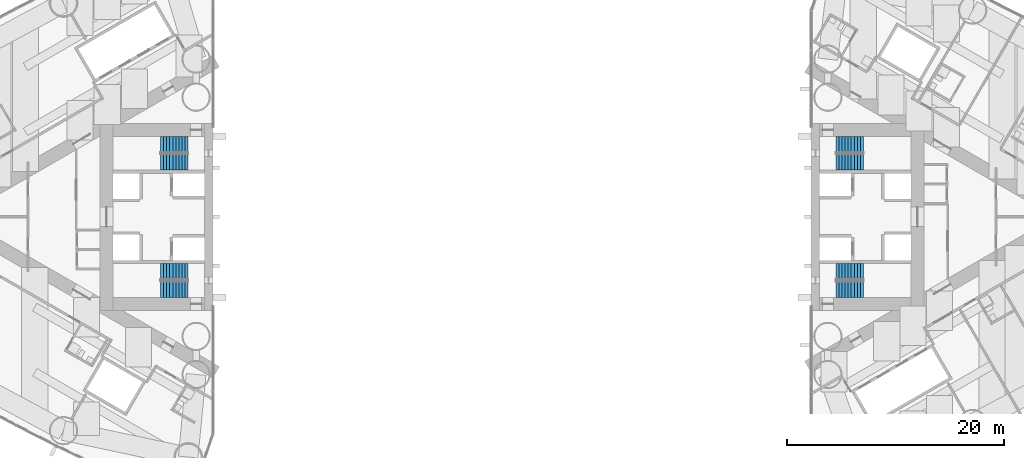
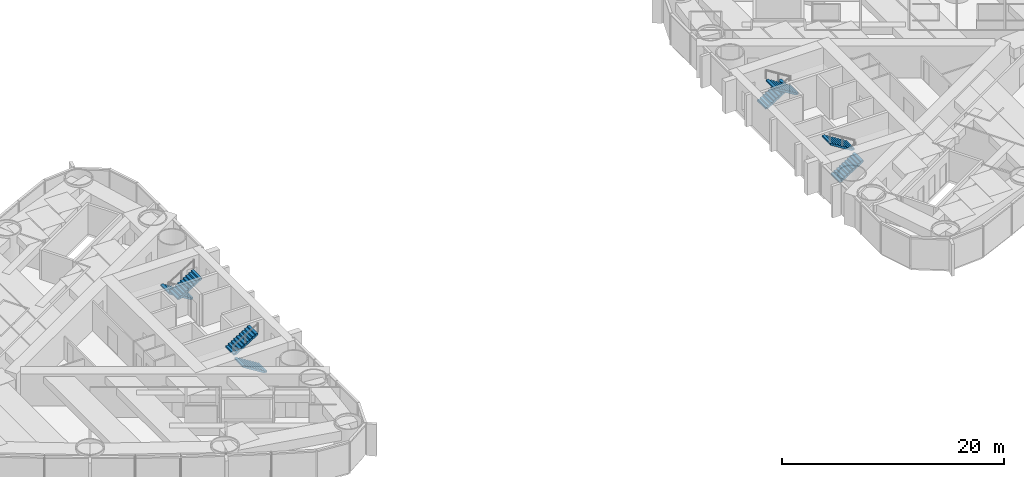
# One storey, part 16 of 18: 8 stair flights, 4 elements without a shape of their own.
"""IFC4 building model written with IfcOpenShell, lengths in metres."""

import ifcopenshell
import ifcopenshell.guid

model = None  # the IFC model being written
_history = None  # IfcOwnerHistory: only IFC2X3 demands one
_inside = {}  # id of a spatial element -> (the spatial element, [elements in it])
_under = {}  # id of a project, library or spatial element -> (it, [spatial elements below it])
_declared = {}  # id of a project -> (the project, [libraries it declares])
_typed = {}  # id of a type object -> (the type object, [elements of that type])
_made_of = {}  # id of a material, layer set ... -> (it, [elements and type objects made of it])


def new_model(schema):
    """Start an empty IFC model of exactly this schema.

    Asked for "IFC4X3", IfcOpenShell would pick the latest addendum, in which some entities
    have other attributes; the version numbers below select the first issue.
    IFC2X3 requires an IfcOwnerHistory on every rooted entity: one is made here for all.
    """
    global model, _history
    if schema == "IFC4X3":
        model = ifcopenshell.file(schema_version=(4, 3, 0, 0))
    else:
        model = ifcopenshell.file(schema=schema)
    _inside.clear()
    _under.clear()
    _declared.clear()
    _typed.clear()
    _made_of.clear()
    _history = None
    if model.schema == "IFC2X3":
        org = make("IfcOrganization", Name="unknown")
        user = make(
            "IfcPersonAndOrganization",
            ThePerson=make("IfcPerson", FamilyName="unknown"),
            TheOrganization=org,
        )
        app = make(
            "IfcApplication",
            ApplicationDeveloper=org,
            Version="unknown",
            ApplicationFullName="unknown",
            ApplicationIdentifier="unknown",
        )
        _history = make(
            "IfcOwnerHistory",
            OwningUser=user,
            OwningApplication=app,
            ChangeAction="ADDED",
            CreationDate=0,
        )
    return model


def make(cls, **values):
    """One entity of the class cls with the attributes given. An attribute that is None is left unset."""
    return model.create_entity(
        cls, **{name: value for name, value in values.items() if value is not None}
    )


def rooted(cls, **values):
    """An entity with a GlobalId (a new one), such as an element, a storey or a relation."""
    return make(cls, GlobalId=ifcopenshell.guid.new(), OwnerHistory=_history, **values)


def si_unit(unit_type, name, prefix=None):
    """IfcSIUnit, for example si_unit("LENGTHUNIT", "METRE", prefix="MILLI")."""
    return make("IfcSIUnit", UnitType=unit_type, Prefix=prefix, Name=name)


def assignment(units):
    """IfcUnitAssignment: the units of a project."""
    return None if units is None else make("IfcUnitAssignment", Units=units)


def point(xyz):
    """IfcCartesianPoint."""
    return None if xyz is None else make("IfcCartesianPoint", Coordinates=xyz)


def direction(xyz):
    """IfcDirection."""
    return None if xyz is None else make("IfcDirection", DirectionRatios=xyz)


def frame(location, z_axis=None, x_axis=None):
    """IfcAxis2Placement3D, a coordinate frame: its origin and axes. An axis left out is left unset."""
    return make(
        "IfcAxis2Placement3D",
        Location=point(location),
        Axis=direction(z_axis),
        RefDirection=direction(x_axis),
    )


def origin():
    """The frame at (0, 0, 0) with its axes left unset."""
    return frame((0.0, 0.0, 0.0))


def place(relative_to, where):
    """IfcLocalPlacement: puts the frame where relative to a parent placement (None: the world)."""
    return make(
        "IfcLocalPlacement", PlacementRelTo=relative_to, RelativePlacement=where
    )


def context(
    kind, dimensions, precision=None, world=None, true_north=None, identifier=None
):
    """IfcGeometricRepresentationContext, for example the 3D "Model" context."""
    return make(
        "IfcGeometricRepresentationContext",
        ContextIdentifier=identifier,
        ContextType=kind,
        CoordinateSpaceDimension=dimensions,
        Precision=precision,
        WorldCoordinateSystem=world,
        TrueNorth=true_north,
    )


def subcontext(parent, identifier, kind, view, scale=None):
    """IfcGeometricRepresentationSubContext, for example "Body" below "Model"."""
    return make(
        "IfcGeometricRepresentationSubContext",
        ContextIdentifier=identifier,
        ContextType=kind,
        ParentContext=parent,
        TargetScale=scale,
        TargetView=view,
    )


def project(units=None, contexts=None):
    """IfcProject with its units and contexts."""
    return rooted(
        "IfcProject",
        Name="project",
        RepresentationContexts=contexts,
        UnitsInContext=assignment(units),
    )


def spatial(cls, under=None, at=None, **own):
    """A site, building, storey or space (cls), placed at a placement, below another one or the project."""
    s = rooted(cls, ObjectPlacement=at, **own)
    if under is not None:
        _under.setdefault(under.id(), (under, []))[1].append(s)
    return s


def polyline(points):
    """IfcPolyline through the points."""
    return make("IfcPolyline", Points=[point(p) for p in points])


def outline(outer, holes=None, kind="AREA"):
    """IfcArbitraryClosedProfileDef: a profile drawn as a closed curve; with holes, ...WithVoids."""
    if holes is None:
        return make("IfcArbitraryClosedProfileDef", ProfileType=kind, OuterCurve=outer)
    return make(
        "IfcArbitraryProfileDefWithVoids",
        ProfileType=kind,
        OuterCurve=outer,
        InnerCurves=holes,
    )


def extrude(swept, where, along, depth):
    """IfcExtrudedAreaSolid: the profile swept, set in the frame where, extruded along a direction by depth."""
    return make(
        "IfcExtrudedAreaSolid",
        SweptArea=swept,
        Position=where,
        ExtrudedDirection=direction(along),
        Depth=depth,
    )


def shape(context_of_items, identifier, shape_type, items):
    """IfcShapeRepresentation: the items that make up one representation, for example the "Body"."""
    return make(
        "IfcShapeRepresentation",
        ContextOfItems=context_of_items,
        RepresentationIdentifier=identifier,
        RepresentationType=shape_type,
        Items=items,
    )


def material(Name=None, Category=None):
    """IfcMaterial."""
    return make("IfcMaterial", Name=Name, Category=Category)


def made_of(thing, what):
    """Note that an element or type object is made of a material, layer set ...; save() writes the relation."""
    if what is not None:
        _made_of.setdefault(what.id(), (what, []))[1].append(thing)
    return thing


def type_object(cls, material=None, **own):
    """A type object (cls), such as IfcWallType, which elements share."""
    return made_of(rooted(cls, **own), material)


def element(
    cls,
    number,
    at=None,
    inside=None,
    cuts=None,
    type_object=None,
    material=None,
    context=None,
    identifier="Body",
    shape_type=None,
    held_by="IfcProductDefinitionShape",
    body=None,
    shapes=None,
    **own,
):
    """One element of the class cls, such as IfcWall. Its Tag is "e" and its number.

    at: its placement. inside: the storey or other place that contains it. cuts: it is an
    opening in that element (IfcRelVoidsElement). A single representation is given by context,
    identifier, shape_type and body (its items); several are given by shapes. held_by: the class
    of the entity that holds the representations. save() writes the other relations.
    """
    e = rooted(cls, Tag="e%d" % number, ObjectPlacement=at, **own)
    if body is not None:
        shapes = [shape(context, identifier, shape_type, body)]
    if shapes is not None:
        e.Representation = make(held_by, Representations=shapes)
    if inside is not None:
        _inside.setdefault(inside.id(), (inside, []))[1].append(e)
    if cuts is not None:
        rooted(
            "IfcRelVoidsElement", RelatingBuildingElement=cuts, RelatedOpeningElement=e
        )
    if type_object is not None:
        _typed.setdefault(type_object.id(), (type_object, []))[1].append(e)
    return made_of(e, material)


def aggregate(whole, parts):
    """IfcRelAggregates: a whole, such as a stair, and the parts it consists of."""
    return rooted("IfcRelAggregates", RelatingObject=whole, RelatedObjects=parts)


def save(model, path):
    """Write the relations noted so far, then the file.

    IfcRelAggregates (storeys below a building ...), IfcRelContainedInSpatialStructure (elements
    in a storey), IfcRelDefinesByType, IfcRelAssociatesMaterial and IfcRelDeclares: one each for
    every whole, place, type object, material and project.
    """
    for whole, parts in _under.values():
        aggregate(whole, parts)
    for where, things in _inside.values():
        rooted(
            "IfcRelContainedInSpatialStructure",
            RelatedElements=things,
            RelatingStructure=where,
        )
    for kind, things in _typed.values():
        rooted("IfcRelDefinesByType", RelatedObjects=things, RelatingType=kind)
    for what, things in _made_of.values():
        rooted("IfcRelAssociatesMaterial", RelatedObjects=things, RelatingMaterial=what)
    for by, libraries in _declared.values():
        rooted("IfcRelDeclares", RelatingContext=by, RelatedDefinitions=libraries)
    model.write(path)


model = new_model("IFC4")

# Units and contexts
model_context = context("Model", 3, precision=1e-05, world=origin(), true_north=direction((0.0, 1.0)))
body_context = subcontext(model_context, "Body", "Model", "MODEL_VIEW")
ifc_project = project(units=[si_unit("LENGTHUNIT", "METRE"), si_unit("AREAUNIT", "SQUARE_METRE"), si_unit("VOLUMEUNIT", "CUBIC_METRE"), si_unit("PLANEANGLEUNIT", "RADIAN"), si_unit("MASSUNIT", "GRAM", prefix="KILO")], contexts=[model_context])

# Site, building, storey
site_placement = place(None, origin())
site = spatial("IfcSite", under=ifc_project, at=site_placement, CompositionType="ELEMENT")
building_placement = place(site_placement, origin())
building = spatial("IfcBuilding", under=site, at=building_placement, Name="Lancet Gate Hotel", CompositionType="ELEMENT")
storey_placement = place(building_placement, frame((0.0, 0.0, 118.60009765625)))
storey = spatial("IfcBuildingStorey", under=building, at=storey_placement, Name="L31", CompositionType="ELEMENT", Elevation=118.60009765625)

# Stair, stair flights
ifc_material_1 = material(Name="Exit stair 20 risers 1500")
stair_type = type_object("IfcStairType", Name="Exit stair 20 risers 1500", PredefinedType="HALF_TURN_STAIR", material=ifc_material_1)
stair_1_placement = place(storey_placement, origin())
stair_1 = element("IfcStair", 1, at=stair_1_placement, inside=storey, type_object=stair_type, Name="T1 stair 1 L31", PredefinedType="HALF_TURN_STAIR")
ifc_material_2 = material(Name="Stair flight 10 risers 175 rise 1500")
stair_flight_type = type_object("IfcStairFlightType", Name="Stair flight 10 risers 175 rise 1500", PredefinedType="STRAIGHT", material=ifc_material_2)
stair_flight_1_placement = place(storey_placement, frame((-29.800048828125, 6.64990234375, 0.0), z_axis=(0.0, 0.0, 1.0), x_axis=(-1.0, 0.0, 0.0)))
stair_flight_1 = element("IfcStairFlight", 2, at=stair_flight_1_placement, type_object=stair_flight_type, Name="ST1 flight 1", NumberOfRisers=10, NumberOfTreads=9, PredefinedType="STRAIGHT", RiserHeight=0.175, TreadLength=0.28, context=body_context, shape_type="SweptSolid", body=[
    extrude(outline(polyline([(0.0, 0.0), (0.0, 0.175048828125), (0.280029296875, 0.175048828125), (0.280029296875, 0.35009765625), (0.56005859375, 0.35009765625), (0.56005859375, 0.52490234375), (0.840087890625, 0.52490234375), (0.840087890625, 0.699951171875), (1.1201171875, 0.699951171875), (1.1201171875, 0.875), (1.39990234375, 0.875), (1.39990234375, 1.050048828125), (1.679931640625, 1.050048828125), (1.679931640625, 1.22509765625), (1.9599609375, 1.22509765625), (1.9599609375, 1.39990234375), (2.239990234375, 1.39990234375), (2.239990234375, 1.574951171875), (2.52001953125, 1.574951171875), (2.52001953125, 1.75), (2.52001953125, 1.398193359375), (0.28271484375, 0.0), (0.0, 0.0)])), frame((0.0, 0.75, 0.0), z_axis=(0.0, -1.0, 0.0), x_axis=(1.0, 0.0, 0.0)), (0.0, 0.0, 1.0), 1.5),
])
stair_flight_2_placement = place(storey_placement, frame((-32.320068359375, 5.050048828125, 1.75), z_axis=(0.0, 0.0, 1.0), x_axis=(1.0, 0.0, 0.0)))
stair_flight_2 = element("IfcStairFlight", 3, at=stair_flight_2_placement, type_object=stair_flight_type, Name="ST1 flight 2", NumberOfRisers=10, NumberOfTreads=9, PredefinedType="STRAIGHT", RiserHeight=0.175, TreadLength=0.28, context=body_context, shape_type="SweptSolid", body=[
    extrude(outline(polyline([(0.0, 0.0), (0.0, 0.175048828125), (0.280029296875, 0.175048828125), (0.280029296875, 0.35009765625), (0.56005859375, 0.35009765625), (0.56005859375, 0.52490234375), (0.840087890625, 0.52490234375), (0.840087890625, 0.699951171875), (1.1201171875, 0.699951171875), (1.1201171875, 0.875), (1.39990234375, 0.875), (1.39990234375, 1.050048828125), (1.679931640625, 1.050048828125), (1.679931640625, 1.22509765625), (1.9599609375, 1.22509765625), (1.9599609375, 1.39990234375), (2.239990234375, 1.39990234375), (2.239990234375, 1.574951171875), (2.52001953125, 1.574951171875), (2.52001953125, 1.75), (2.52001953125, 1.398193359375), (0.28271484375, 0.0), (0.0, 0.0)])), frame((0.0, 0.75, 0.0), z_axis=(0.0, -1.0, 0.0), x_axis=(1.0, 0.0, 0.0)), (0.0, 0.0, 1.0), 1.5),
])
aggregate(stair_1, [stair_flight_1, stair_flight_2])

stair_2_placement = place(storey_placement, origin())
stair_2 = element("IfcStair", 4, at=stair_2_placement, inside=storey, type_object=stair_type, Name="T1 stair 2 L31", PredefinedType="HALF_TURN_STAIR")
stair_flight_3_placement = place(storey_placement, frame((-29.800048828125, -6.64990234375, 0.0), z_axis=(0.0, 0.0, 1.0), x_axis=(-1.0, 0.0, 0.0)))
stair_flight_3 = element("IfcStairFlight", 5, at=stair_flight_3_placement, type_object=stair_flight_type, Name="ST2 flight 1", NumberOfRisers=10, NumberOfTreads=9, PredefinedType="STRAIGHT", RiserHeight=0.175, TreadLength=0.28, context=body_context, shape_type="SweptSolid", body=[
    extrude(outline(polyline([(0.0, 0.0), (0.0, 0.175048828125), (0.280029296875, 0.175048828125), (0.280029296875, 0.35009765625), (0.56005859375, 0.35009765625), (0.56005859375, 0.52490234375), (0.840087890625, 0.52490234375), (0.840087890625, 0.699951171875), (1.1201171875, 0.699951171875), (1.1201171875, 0.875), (1.39990234375, 0.875), (1.39990234375, 1.050048828125), (1.679931640625, 1.050048828125), (1.679931640625, 1.22509765625), (1.9599609375, 1.22509765625), (1.9599609375, 1.39990234375), (2.239990234375, 1.39990234375), (2.239990234375, 1.574951171875), (2.52001953125, 1.574951171875), (2.52001953125, 1.75), (2.52001953125, 1.398193359375), (0.28271484375, 0.0), (0.0, 0.0)])), frame((0.0, 0.75, 0.0), z_axis=(0.0, -1.0, 0.0), x_axis=(1.0, 0.0, 0.0)), (0.0, 0.0, 1.0), 1.5),
])
stair_flight_4_placement = place(storey_placement, frame((-32.320068359375, -5.050048828125, 1.75), z_axis=(0.0, 0.0, 1.0), x_axis=(1.0, 0.0, 0.0)))
stair_flight_4 = element("IfcStairFlight", 6, at=stair_flight_4_placement, type_object=stair_flight_type, Name="ST2 flight 2", NumberOfRisers=10, NumberOfTreads=9, PredefinedType="STRAIGHT", RiserHeight=0.175, TreadLength=0.28, context=body_context, shape_type="SweptSolid", body=[
    extrude(outline(polyline([(0.0, 0.0), (0.0, 0.175048828125), (0.280029296875, 0.175048828125), (0.280029296875, 0.35009765625), (0.56005859375, 0.35009765625), (0.56005859375, 0.52490234375), (0.840087890625, 0.52490234375), (0.840087890625, 0.699951171875), (1.1201171875, 0.699951171875), (1.1201171875, 0.875), (1.39990234375, 0.875), (1.39990234375, 1.050048828125), (1.679931640625, 1.050048828125), (1.679931640625, 1.22509765625), (1.9599609375, 1.22509765625), (1.9599609375, 1.39990234375), (2.239990234375, 1.39990234375), (2.239990234375, 1.574951171875), (2.52001953125, 1.574951171875), (2.52001953125, 1.75), (2.52001953125, 1.398193359375), (0.28271484375, 0.0), (0.0, 0.0)])), frame((0.0, 0.75, 0.0), z_axis=(0.0, -1.0, 0.0), x_axis=(1.0, 0.0, 0.0)), (0.0, 0.0, 1.0), 1.5),
])
aggregate(stair_2, [stair_flight_3, stair_flight_4])

stair_3_placement = place(storey_placement, origin())
stair_3 = element("IfcStair", 7, at=stair_3_placement, inside=storey, type_object=stair_type, Name="T2 stair 1 L31", PredefinedType="HALF_TURN_STAIR")
stair_flight_5_placement = place(storey_placement, frame((29.800048828125, -6.64990234375, 0.0), z_axis=(0.0, 0.0, 1.0), x_axis=(1.0, 0.0, 0.0)))
stair_flight_5 = element("IfcStairFlight", 8, at=stair_flight_5_placement, type_object=stair_flight_type, Name="ST3 flight 1", NumberOfRisers=10, NumberOfTreads=9, PredefinedType="STRAIGHT", RiserHeight=0.175, TreadLength=0.28, context=body_context, shape_type="SweptSolid", body=[
    extrude(outline(polyline([(0.0, 0.0), (0.0, 0.175048828125), (0.280029296875, 0.175048828125), (0.280029296875, 0.35009765625), (0.56005859375, 0.35009765625), (0.56005859375, 0.52490234375), (0.840087890625, 0.52490234375), (0.840087890625, 0.699951171875), (1.1201171875, 0.699951171875), (1.1201171875, 0.875), (1.39990234375, 0.875), (1.39990234375, 1.050048828125), (1.679931640625, 1.050048828125), (1.679931640625, 1.22509765625), (1.9599609375, 1.22509765625), (1.9599609375, 1.39990234375), (2.239990234375, 1.39990234375), (2.239990234375, 1.574951171875), (2.52001953125, 1.574951171875), (2.52001953125, 1.75), (2.52001953125, 1.398193359375), (0.28271484375, 0.0), (0.0, 0.0)])), frame((0.0, 0.75, 0.0), z_axis=(0.0, -1.0, 0.0), x_axis=(1.0, 0.0, 0.0)), (0.0, 0.0, 1.0), 1.5),
])
stair_flight_6_placement = place(storey_placement, frame((32.320068359375, -5.050048828125, 1.75), z_axis=(0.0, 0.0, 1.0), x_axis=(-1.0, 0.0, 0.0)))
stair_flight_6 = element("IfcStairFlight", 9, at=stair_flight_6_placement, type_object=stair_flight_type, Name="ST3 flight 2", NumberOfRisers=10, NumberOfTreads=9, PredefinedType="STRAIGHT", RiserHeight=0.175, TreadLength=0.28, context=body_context, shape_type="SweptSolid", body=[
    extrude(outline(polyline([(0.0, 0.0), (0.0, 0.175048828125), (0.280029296875, 0.175048828125), (0.280029296875, 0.35009765625), (0.56005859375, 0.35009765625), (0.56005859375, 0.52490234375), (0.840087890625, 0.52490234375), (0.840087890625, 0.699951171875), (1.1201171875, 0.699951171875), (1.1201171875, 0.875), (1.39990234375, 0.875), (1.39990234375, 1.050048828125), (1.679931640625, 1.050048828125), (1.679931640625, 1.22509765625), (1.9599609375, 1.22509765625), (1.9599609375, 1.39990234375), (2.239990234375, 1.39990234375), (2.239990234375, 1.574951171875), (2.52001953125, 1.574951171875), (2.52001953125, 1.75), (2.52001953125, 1.398193359375), (0.28271484375, 0.0), (0.0, 0.0)])), frame((0.0, 0.75, 0.0), z_axis=(0.0, -1.0, 0.0), x_axis=(1.0, 0.0, 0.0)), (0.0, 0.0, 1.0), 1.5),
])
aggregate(stair_3, [stair_flight_5, stair_flight_6])

stair_4_placement = place(storey_placement, origin())
stair_4 = element("IfcStair", 10, at=stair_4_placement, inside=storey, type_object=stair_type, Name="T2 stair 2 L31", PredefinedType="HALF_TURN_STAIR")
stair_flight_7_placement = place(storey_placement, frame((29.800048828125, 6.64990234375, 0.0), z_axis=(0.0, 0.0, 1.0), x_axis=(1.0, 0.0, 0.0)))
stair_flight_7 = element("IfcStairFlight", 11, at=stair_flight_7_placement, type_object=stair_flight_type, Name="ST4 flight 1", NumberOfRisers=10, NumberOfTreads=9, PredefinedType="STRAIGHT", RiserHeight=0.175, TreadLength=0.28, context=body_context, shape_type="SweptSolid", body=[
    extrude(outline(polyline([(0.0, 0.0), (0.0, 0.175048828125), (0.280029296875, 0.175048828125), (0.280029296875, 0.35009765625), (0.56005859375, 0.35009765625), (0.56005859375, 0.52490234375), (0.840087890625, 0.52490234375), (0.840087890625, 0.699951171875), (1.1201171875, 0.699951171875), (1.1201171875, 0.875), (1.39990234375, 0.875), (1.39990234375, 1.050048828125), (1.679931640625, 1.050048828125), (1.679931640625, 1.22509765625), (1.9599609375, 1.22509765625), (1.9599609375, 1.39990234375), (2.239990234375, 1.39990234375), (2.239990234375, 1.574951171875), (2.52001953125, 1.574951171875), (2.52001953125, 1.75), (2.52001953125, 1.398193359375), (0.28271484375, 0.0), (0.0, 0.0)])), frame((0.0, 0.75, 0.0), z_axis=(0.0, -1.0, 0.0), x_axis=(1.0, 0.0, 0.0)), (0.0, 0.0, 1.0), 1.5),
])
stair_flight_8_placement = place(storey_placement, frame((32.320068359375, 5.050048828125, 1.75), z_axis=(0.0, 0.0, 1.0), x_axis=(-1.0, 0.0, 0.0)))
stair_flight_8 = element("IfcStairFlight", 12, at=stair_flight_8_placement, type_object=stair_flight_type, Name="ST4 flight 2", NumberOfRisers=10, NumberOfTreads=9, PredefinedType="STRAIGHT", RiserHeight=0.175, TreadLength=0.28, context=body_context, shape_type="SweptSolid", body=[
    extrude(outline(polyline([(0.0, 0.0), (0.0, 0.175048828125), (0.280029296875, 0.175048828125), (0.280029296875, 0.35009765625), (0.56005859375, 0.35009765625), (0.56005859375, 0.52490234375), (0.840087890625, 0.52490234375), (0.840087890625, 0.699951171875), (1.1201171875, 0.699951171875), (1.1201171875, 0.875), (1.39990234375, 0.875), (1.39990234375, 1.050048828125), (1.679931640625, 1.050048828125), (1.679931640625, 1.22509765625), (1.9599609375, 1.22509765625), (1.9599609375, 1.39990234375), (2.239990234375, 1.39990234375), (2.239990234375, 1.574951171875), (2.52001953125, 1.574951171875), (2.52001953125, 1.75), (2.52001953125, 1.398193359375), (0.28271484375, 0.0), (0.0, 0.0)])), frame((0.0, 0.75, 0.0), z_axis=(0.0, -1.0, 0.0), x_axis=(1.0, 0.0, 0.0)), (0.0, 0.0, 1.0), 1.5),
])
aggregate(stair_4, [stair_flight_7, stair_flight_8])

save(model, "model.ifc")
